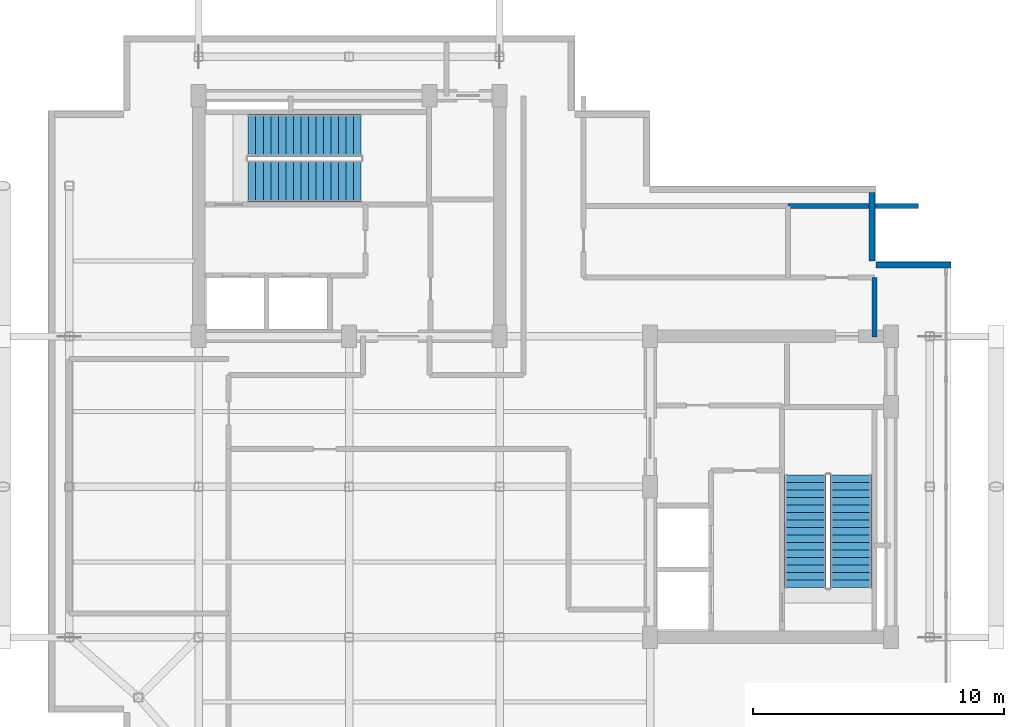
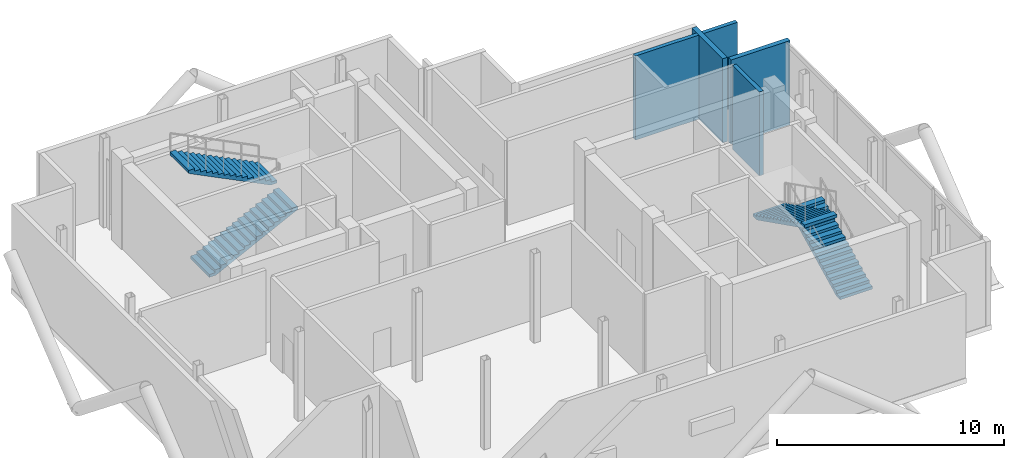
# One storey, part 5 of 6: 4 stair flights, 4 walls, 2 elements without a shape of their own.
"""IFC4 building model written with IfcOpenShell, lengths in metres."""

from ifc_helpers import new_model, si_unit, direction, frame, frame_2d, origin, place, context, subcontext, project, spatial, polyline, rectangle, outline, extrude, material, layer, layer_set, type_object, element, aggregate, save


model = new_model("IFC4")

# Units and contexts
model_context = context("Model", 3, precision=1e-05, world=origin(), true_north=direction((0.0, 1.0)))
body_context = subcontext(model_context, "Body", "Model", "MODEL_VIEW")
ifc_project = project(units=[si_unit("LENGTHUNIT", "METRE"), si_unit("AREAUNIT", "SQUARE_METRE"), si_unit("VOLUMEUNIT", "CUBIC_METRE"), si_unit("PLANEANGLEUNIT", "RADIAN"), si_unit("MASSUNIT", "GRAM", prefix="KILO"), si_unit("THERMODYNAMICTEMPERATUREUNIT", "KELVIN"), si_unit("POWERUNIT", "WATT")], contexts=[model_context])

# Site, building, storey
site_placement = place(None, origin())
site = spatial("IfcSite", under=ifc_project, at=site_placement, CompositionType="ELEMENT")
building_placement = place(site_placement, origin())
building = spatial("IfcBuilding", under=site, at=building_placement, Name="Svarakhadi Broadcast Tower", CompositionType="ELEMENT")
storey_placement = place(building_placement, frame((0.0, 0.0, 300.89990234375)))
storey = spatial("IfcBuildingStorey", under=building, at=storey_placement, Name="L76", CompositionType="ELEMENT", Elevation=300.89990234375)

# Walls
ifc_material = material(Name="Concrete C40/50 (IS 456 M50)", Category="concrete")
ifc_layer_1 = layer(ifc_material, 0.239990234375)
ifc_layer_set_1 = layer_set([ifc_layer_1], Name="Concrete C40/50 (IS 456 M50)")
wall_type_1 = type_object("IfcWallType", Name="Wall_Ext_240", PredefinedType="SOLIDWALL", material=ifc_layer_set_1)
wall_1_placement = place(storey_placement, frame((32.85009765625, 23.72509765625, 0.0), z_axis=(0.0, 0.0, 1.0), x_axis=(0.0, -1.0, 0.0)))
element("IfcWall", 1, at=wall_1_placement, inside=storey, type_object=wall_type_1, Name="L76 Perimeter Bronze Spandrel Closure Wall 08", PredefinedType="SOLIDWALL", context=body_context, shape_type="SweptSolid", body=[
    extrude(rectangle(XDim=2.72509765625, YDim=0.239990234375, at=frame_2d((1.362548828125, 0.0))), origin(), (0.0, 0.0, 1.0), 4.525146484375),
])
wall_2_placement = place(storey_placement, frame((33.0, 20.85009765625, 0.0), z_axis=(0.0, 0.0, 1.0), x_axis=(1.0, 0.0, 0.0)))
element("IfcWall", 2, at=wall_2_placement, inside=storey, type_object=wall_type_1, Name="L76 Perimeter Bronze Spandrel Closure Wall 09", PredefinedType="SOLIDWALL", context=body_context, shape_type="SweptSolid", body=[
    extrude(rectangle(XDim=3.0, YDim=0.239990234375, at=frame_2d((1.5, 0.0))), origin(), (0.0, 0.0, 1.0), 4.525146484375),
])
ifc_layer_2 = layer(ifc_material, 0.199951171875)
ifc_layer_set_2 = layer_set([ifc_layer_2], Name="Concrete C40/50 (IS 456 M50)")
wall_type_2 = type_object("IfcWallType", Name="Wall_Fire_200", PredefinedType="SOLIDWALL", material=ifc_layer_set_2)
wall_3_placement = place(storey_placement, frame((32.949951171875, 20.35009765625, 0.0), z_axis=(0.0, 0.0, 1.0), x_axis=(0.0, -1.0, 0.0)))
element("IfcWall", 3, at=wall_3_placement, inside=storey, type_object=wall_type_2, Name="L76 Plant Service Corridor Wall", PredefinedType="SOLIDWALL", context=body_context, shape_type="SweptSolid", body=[
    extrude(rectangle(XDim=2.3701171875, YDim=0.199951171875, at=frame_2d((1.18505859375, 0.0))), origin(), (0.0, 0.0, 1.0), 4.525146484375),
])
wall_4_placement = place(storey_placement, frame((29.5, 23.199951171875, 0.0), z_axis=(0.0, 0.0, 1.0), x_axis=(1.0, 0.0, 0.0)))
element("IfcWall", 4, at=wall_4_placement, inside=storey, type_object=wall_type_2, Name="L76 Crown Harmonic Filter Plant Room Wall", PredefinedType="SOLIDWALL", context=body_context, shape_type="SweptSolid", body=[
    extrude(rectangle(XDim=5.199951171875, YDim=0.199951171875, at=frame_2d((2.60009765625, 0.0))), origin(), (0.0, 0.0, 1.0), 4.525146484375),
])

# Stair, stair flights
stair_type = type_object("IfcStairType", Name="Stair_Exit_Core", PredefinedType="HALF_TURN_STAIR", material=ifc_material)
stair_1_placement = place(storey_placement, origin())
stair_1 = element("IfcStair", 5, at=stair_1_placement, inside=storey, type_object=stair_type, Name="L76 West Core Protected Exit Stair ST-01", PredefinedType="HALF_TURN_STAIR")
stair_flight_type = type_object("IfcStairFlightType", Name="Flight_RC_1680", PredefinedType="STRAIGHT", material=ifc_material)
stair_flight_1_placement = place(storey_placement, frame((7.97998046875, 24.18994140625, 0.0), z_axis=(0.0, 0.0, 1.0), x_axis=(1.0, 0.0, 0.0)))
stair_flight_1 = element("IfcStairFlight", 6, at=stair_flight_1_placement, type_object=stair_flight_type, Name="ST-01 flight 1", NumberOfRisers=16, NumberOfTreads=15, PredefinedType="STRAIGHT", RiserHeight=0.15, TreadLength=0.3, context=body_context, shape_type="SweptSolid", body=[
    extrude(outline(polyline([(0.0, 0.0), (0.0, 0.14990234375), (0.300048828125, 0.14990234375), (0.300048828125, 0.300048828125), (0.60009765625, 0.300048828125), (0.60009765625, 0.449951171875), (0.89990234375, 0.449951171875), (0.89990234375, 0.60009765625), (1.199951171875, 0.60009765625), (1.199951171875, 0.75), (1.5, 0.75), (1.5, 0.89990234375), (1.800048828125, 0.89990234375), (1.800048828125, 1.050048828125), (2.10009765625, 1.050048828125), (2.10009765625, 1.199951171875), (2.39990234375, 1.199951171875), (2.39990234375, 1.35009765625), (2.699951171875, 1.35009765625), (2.699951171875, 1.5), (3.0, 1.5), (3.0, 1.64990234375), (3.300048828125, 1.64990234375), (3.300048828125, 1.800048828125), (3.60009765625, 1.800048828125), (3.60009765625, 1.949951171875), (3.89990234375, 1.949951171875), (3.89990234375, 2.10009765625), (4.199951171875, 2.10009765625), (4.199951171875, 2.25), (4.5, 2.25), (4.5, 2.39990234375), (4.5, 2.08251953125), (0.335205078125, 0.0), (0.0, 0.0)])), frame((0.0, 0.830078125, 0.0), z_axis=(0.0, -1.0, 0.0), x_axis=(1.0, 0.0, 0.0)), (0.0, 0.0, 1.0), 1.659912109375),
])
stair_flight_2_placement = place(storey_placement, frame((12.47998046875, 26.010009765625, 2.400146484375), z_axis=(0.0, 0.0, 1.0), x_axis=(-1.0, 0.0, 0.0)))
stair_flight_2 = element("IfcStairFlight", 7, at=stair_flight_2_placement, type_object=stair_flight_type, Name="ST-01 flight 2", NumberOfRisers=16, NumberOfTreads=15, PredefinedType="STRAIGHT", RiserHeight=0.15, TreadLength=0.3, context=body_context, shape_type="SweptSolid", body=[
    extrude(outline(polyline([(0.0, 0.0), (0.0, 0.14990234375), (0.300048828125, 0.14990234375), (0.300048828125, 0.300048828125), (0.60009765625, 0.300048828125), (0.60009765625, 0.449951171875), (0.89990234375, 0.449951171875), (0.89990234375, 0.60009765625), (1.199951171875, 0.60009765625), (1.199951171875, 0.75), (1.5, 0.75), (1.5, 0.89990234375), (1.800048828125, 0.89990234375), (1.800048828125, 1.050048828125), (2.10009765625, 1.050048828125), (2.10009765625, 1.199951171875), (2.39990234375, 1.199951171875), (2.39990234375, 1.35009765625), (2.699951171875, 1.35009765625), (2.699951171875, 1.5), (3.0, 1.5), (3.0, 1.64990234375), (3.300048828125, 1.64990234375), (3.300048828125, 1.800048828125), (3.60009765625, 1.800048828125), (3.60009765625, 1.949951171875), (3.89990234375, 1.949951171875), (3.89990234375, 2.10009765625), (4.199951171875, 2.10009765625), (4.199951171875, 2.25), (4.5, 2.25), (4.5, 2.39990234375), (4.5, 2.08251953125), (0.335205078125, 0.0), (0.0, 0.0)])), frame((0.0, 0.830078125, 0.0), z_axis=(0.0, -1.0, 0.0), x_axis=(1.0, 0.0, 0.0)), (0.0, 0.0, 1.0), 1.659912109375),
])
aggregate(stair_1, [stair_flight_1, stair_flight_2])

stair_2_placement = place(storey_placement, origin())
stair_2 = element("IfcStair", 8, at=stair_2_placement, inside=storey, type_object=stair_type, Name="L76 East Core Protected Exit Stair ST-02", PredefinedType="HALF_TURN_STAIR")
stair_flight_3_placement = place(storey_placement, frame((32.010009765625, 7.97998046875, 0.0), z_axis=(0.0, 0.0, 1.0), x_axis=(0.0, 1.0, 0.0)))
stair_flight_3 = element("IfcStairFlight", 9, at=stair_flight_3_placement, type_object=stair_flight_type, Name="ST-02 flight 1", NumberOfRisers=16, NumberOfTreads=15, PredefinedType="STRAIGHT", RiserHeight=0.15, TreadLength=0.3, context=body_context, shape_type="SweptSolid", body=[
    extrude(outline(polyline([(0.0, 0.0), (0.0, 0.14990234375), (0.300048828125, 0.14990234375), (0.300048828125, 0.300048828125), (0.60009765625, 0.300048828125), (0.60009765625, 0.449951171875), (0.89990234375, 0.449951171875), (0.89990234375, 0.60009765625), (1.199951171875, 0.60009765625), (1.199951171875, 0.75), (1.5, 0.75), (1.5, 0.89990234375), (1.800048828125, 0.89990234375), (1.800048828125, 1.050048828125), (2.10009765625, 1.050048828125), (2.10009765625, 1.199951171875), (2.39990234375, 1.199951171875), (2.39990234375, 1.35009765625), (2.699951171875, 1.35009765625), (2.699951171875, 1.5), (3.0, 1.5), (3.0, 1.64990234375), (3.300048828125, 1.64990234375), (3.300048828125, 1.800048828125), (3.60009765625, 1.800048828125), (3.60009765625, 1.949951171875), (3.89990234375, 1.949951171875), (3.89990234375, 2.10009765625), (4.199951171875, 2.10009765625), (4.199951171875, 2.25), (4.5, 2.25), (4.5, 2.39990234375), (4.5, 2.08251953125), (0.335205078125, 0.0), (0.0, 0.0)])), frame((0.0, 0.830078125, 0.0), z_axis=(0.0, -1.0, 0.0), x_axis=(1.0, 0.0, 0.0)), (0.0, 0.0, 1.0), 1.659912109375),
])
stair_flight_4_placement = place(storey_placement, frame((30.18994140625, 12.47998046875, 2.400146484375), z_axis=(0.0, 0.0, 1.0), x_axis=(0.0, -1.0, 0.0)))
stair_flight_4 = element("IfcStairFlight", 10, at=stair_flight_4_placement, type_object=stair_flight_type, Name="ST-02 flight 2", NumberOfRisers=16, NumberOfTreads=15, PredefinedType="STRAIGHT", RiserHeight=0.15, TreadLength=0.3, context=body_context, shape_type="SweptSolid", body=[
    extrude(outline(polyline([(0.0, 0.0), (0.0, 0.14990234375), (0.300048828125, 0.14990234375), (0.300048828125, 0.300048828125), (0.60009765625, 0.300048828125), (0.60009765625, 0.449951171875), (0.89990234375, 0.449951171875), (0.89990234375, 0.60009765625), (1.199951171875, 0.60009765625), (1.199951171875, 0.75), (1.5, 0.75), (1.5, 0.89990234375), (1.800048828125, 0.89990234375), (1.800048828125, 1.050048828125), (2.10009765625, 1.050048828125), (2.10009765625, 1.199951171875), (2.39990234375, 1.199951171875), (2.39990234375, 1.35009765625), (2.699951171875, 1.35009765625), (2.699951171875, 1.5), (3.0, 1.5), (3.0, 1.64990234375), (3.300048828125, 1.64990234375), (3.300048828125, 1.800048828125), (3.60009765625, 1.800048828125), (3.60009765625, 1.949951171875), (3.89990234375, 1.949951171875), (3.89990234375, 2.10009765625), (4.199951171875, 2.10009765625), (4.199951171875, 2.25), (4.5, 2.25), (4.5, 2.39990234375), (4.5, 2.08251953125), (0.335205078125, 0.0), (0.0, 0.0)])), frame((0.0, 0.830078125, 0.0), z_axis=(0.0, -1.0, 0.0), x_axis=(1.0, 0.0, 0.0)), (0.0, 0.0, 1.0), 1.659912109375),
])
aggregate(stair_2, [stair_flight_3, stair_flight_4])

save(model, "model.ifc")
